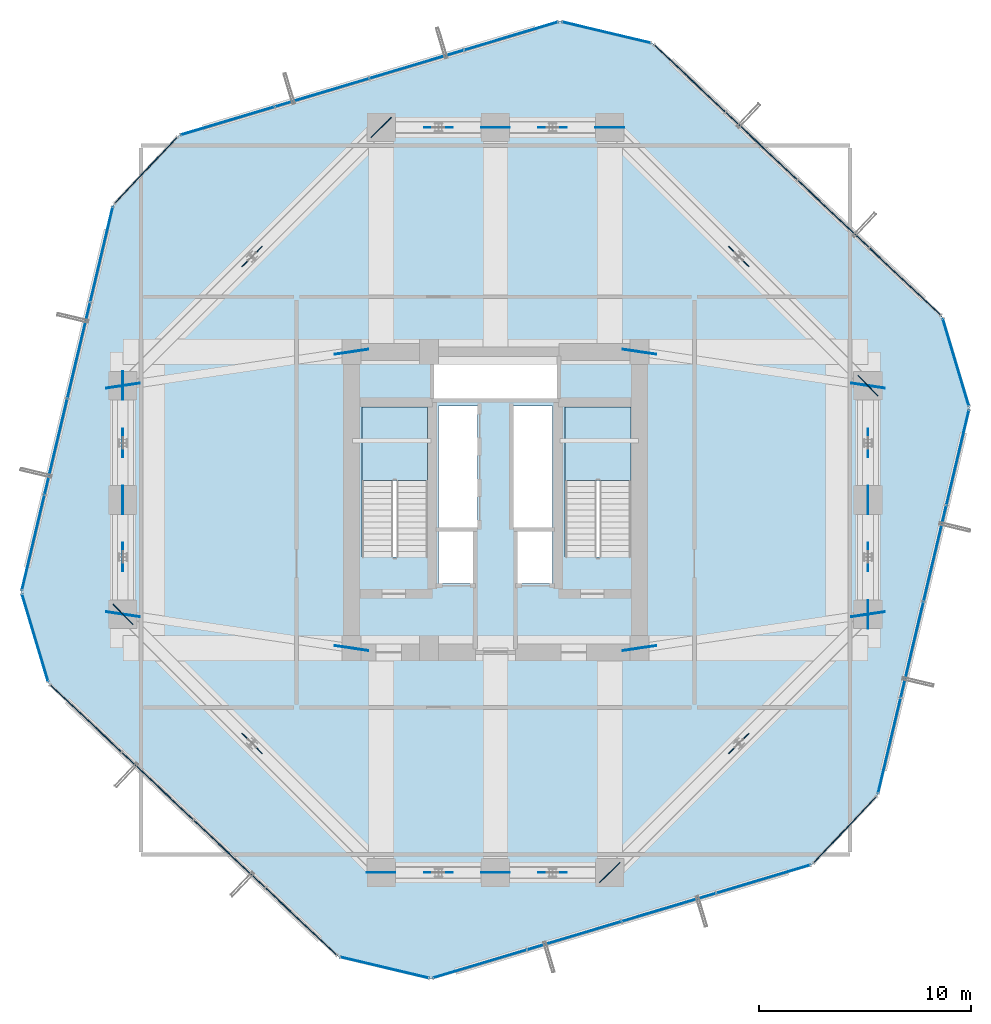
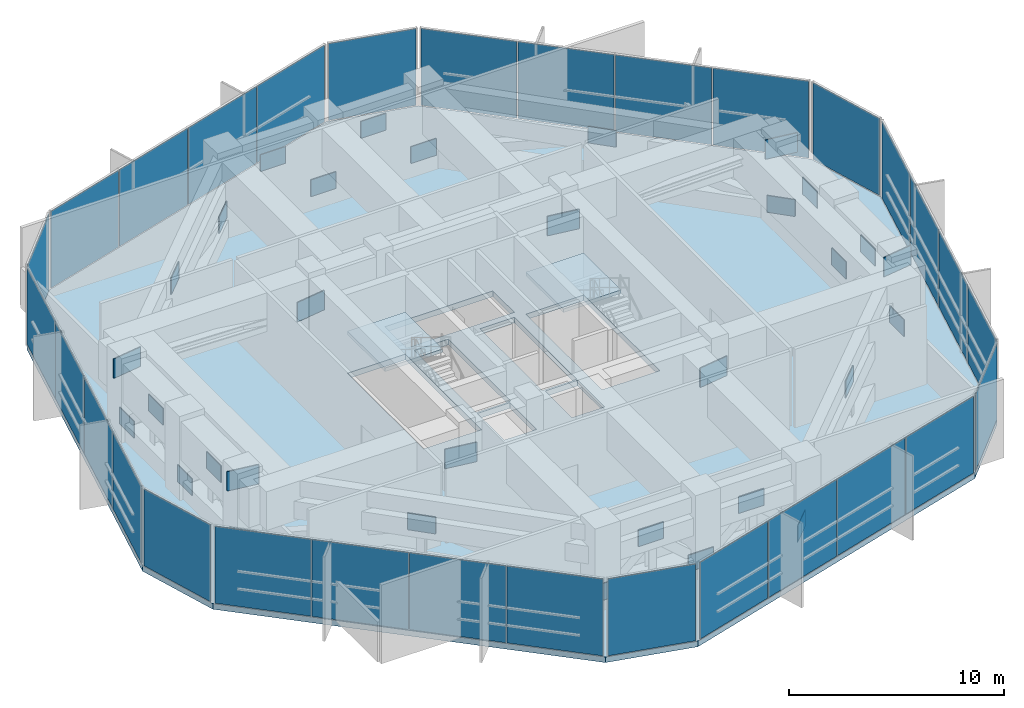
# One storey, part 34 of 41: 62 plates, 3 slabs, 14 elements without a shape of their own.
"""IFC4 building model written with IfcOpenShell, lengths in metres."""

from ifc_helpers import new_model, si_unit, direction, frame, origin, origin_2d, place, context, subcontext, project, spatial, polyline, rectangle, outline, extrude, source, transform, mapped, material, layer, layer_set, type_object, element, aggregate, save


model = new_model("IFC4")

# Units and contexts
model_context = context("Model", 3, precision=1e-05, world=origin(), true_north=direction((0.0, 1.0)))
body_context = subcontext(model_context, "Body", "Model", "MODEL_VIEW")
ifc_project = project(units=[si_unit("LENGTHUNIT", "METRE"), si_unit("AREAUNIT", "SQUARE_METRE"), si_unit("VOLUMEUNIT", "CUBIC_METRE"), si_unit("PLANEANGLEUNIT", "RADIAN"), si_unit("MASSUNIT", "GRAM", prefix="KILO")], contexts=[model_context])

# Site, building, storey
site_placement = place(None, origin())
site = spatial("IfcSite", under=ifc_project, at=site_placement, CompositionType="ELEMENT")
building_placement = place(site_placement, origin())
building = spatial("IfcBuilding", under=site, at=building_placement, Name="Veraguas Prism Commons", CompositionType="ELEMENT")
storey_placement = place(building_placement, frame((0.0, 0.0, 80.35009765625)))
storey = spatial("IfcBuildingStorey", under=building, at=storey_placement, Name="L22", CompositionType="ELEMENT", Elevation=80.35009765625)

# Slab
ifc_material_1 = material(Name="Concrete C45/55", Category="concrete")
ifc_layer_1 = layer(ifc_material_1, 0.320068359375, Name="Plant Refuge and Sky Lobby Slab RC 320", Category="concrete")
ifc_layer_set_1 = layer_set([ifc_layer_1], Name="Concrete C45/55")
slab_type_1 = type_object("IfcSlabType", Name="Plant Refuge and Sky Lobby Slab RC 320", PredefinedType="FLOOR", material=ifc_layer_set_1)
slab_1_placement = place(storey_placement, frame((0.0, 0.0, -0.320068359375)))
element("IfcSlab", 1, at=slab_1_placement, inside=storey, type_object=slab_type_1, Name="Tower Floor Slab L22", PredefinedType="FLOOR", context=body_context, shape_type="SweptSolid", body=[
    extrude(outline(polyline([(46.39306640625, 28.3525390625), (45.10302734375, 32.663818359375), (31.427001953125, 45.5693359375), (27.048583984375, 46.607666015625), (9.033935546875, 41.216796875), (5.945556640625, 37.94384765625), (1.60693359375, 19.6474609375), (2.89697265625, 15.336181640625), (16.572998046875, 2.4306640625), (20.951416015625, 1.392333984375), (38.966064453125, 6.783203125), (42.054443359375, 10.05615234375), (46.39306640625, 28.3525390625)]), holes=[polyline([(20.800048828125, 21.31005859375), (20.800048828125, 28.39990234375), (17.68994140625, 28.39990234375), (17.68994140625, 21.31005859375), (20.800048828125, 21.31005859375)]), polyline([(30.39990234375, 21.31005859375), (30.39990234375, 28.39990234375), (27.2900390625, 28.39990234375), (27.2900390625, 21.31005859375), (30.39990234375, 21.31005859375)]), polyline([(21.300048828125, 22.64990234375), (23.14990234375, 22.64990234375), (23.14990234375, 28.449951171875), (21.300048828125, 28.449951171875), (21.300048828125, 22.64990234375)]), polyline([(24.85009765625, 22.64990234375), (26.699951171875, 22.64990234375), (26.699951171875, 28.449951171875), (24.85009765625, 28.449951171875), (24.85009765625, 22.64990234375)]), polyline([(21.10009765625, 28.800048828125), (26.89990234375, 28.800048828125), (26.89990234375, 30.800048828125), (21.10009765625, 30.800048828125), (21.10009765625, 28.800048828125)]), polyline([(21.300048828125, 20.050048828125), (23.050048828125, 20.050048828125), (23.050048828125, 22.550048828125), (21.300048828125, 22.550048828125), (21.300048828125, 20.050048828125)]), polyline([(24.949951171875, 20.050048828125), (26.699951171875, 20.050048828125), (26.699951171875, 22.550048828125), (24.949951171875, 22.550048828125), (24.949951171875, 20.050048828125)])]), origin(), (0.0, 0.0, 1.0), 0.320068359375),
])

# Stair, slab
ifc_material_2 = material(Name="Precast concrete C45/55", Category="concrete")
stair_type = type_object("IfcStairType", Name="Dogleg Core Stair 1480W 28R 01", PredefinedType="HALF_TURN_STAIR", material=ifc_material_2)
stair_1_placement = place(storey_placement, origin())
stair_1 = element("IfcStair", 2, at=stair_1_placement, inside=storey, type_object=stair_type, Name="Protected Exit Stair ST-01 L22", PredefinedType="HALF_TURN_STAIR")
ifc_layer_2 = layer(ifc_material_2, 0.199951171875, Name="Precast Stair and Ramp Landing Slab 200", Category="concrete")
ifc_layer_set_2 = layer_set([ifc_layer_2], Name="Precast concrete C45/55")
slab_type_2 = type_object("IfcSlabType", Name="Precast Stair and Ramp Landing Slab 200", PredefinedType="LANDING", material=ifc_layer_set_2)
slab_2_placement = place(storey_placement, frame((0.0, 0.0, 2.199951171875)))
slab_2 = element("IfcSlab", 3, at=slab_2_placement, type_object=slab_type_2, Name="ST-01 Landing 1", PredefinedType="LANDING", context=body_context, shape_type="SweptSolid", body=[
    extrude(outline(polyline([(20.800048828125, 24.919921875), (20.800048828125, 28.39990234375), (17.68994140625, 28.39990234375), (17.68994140625, 24.919921875), (20.800048828125, 24.919921875)])), origin(), (0.0, 0.0, 1.0), 0.199951171875),
])
aggregate(stair_1, [slab_2])

stair_2_placement = place(storey_placement, origin())
stair_2 = element("IfcStair", 4, at=stair_2_placement, inside=storey, type_object=stair_type, Name="Protected Exit Stair ST-02 L22", PredefinedType="HALF_TURN_STAIR")
slab_3_placement = place(storey_placement, frame((0.0, 0.0, 2.199951171875)))
slab_3 = element("IfcSlab", 5, at=slab_3_placement, type_object=slab_type_2, Name="ST-01 Landing 1", PredefinedType="LANDING", context=body_context, shape_type="SweptSolid", body=[
    extrude(outline(polyline([(30.39990234375, 24.919921875), (30.39990234375, 28.39990234375), (27.2900390625, 28.39990234375), (27.2900390625, 24.919921875), (30.39990234375, 24.919921875)])), origin(), (0.0, 0.0, 1.0), 0.199951171875),
])
aggregate(stair_2, [slab_3])

# Plates
ifc_material_3 = material(Name="Steel ASTM A572 Grade 50", Category="steel")
ifc_layer_3 = layer(ifc_material_3, 0.0400390625, Name="Belt Truss Node Gusset Plate 1350x950x40", Category="steel")
ifc_layer_set_3 = layer_set([ifc_layer_3], Name="Steel ASTM A572 Grade 50")
plate_type_1 = type_object("IfcPlateType", Name="Belt Truss Node Gusset Plate 1350x950x40", PredefinedType="USERDEFINED", material=ifc_layer_set_3)
shared_shape_1 = source(origin(), body_context, "Body", "SweptSolid", [
    extrude(rectangle(XDim=1.35009765625, YDim=0.0400390625, at=origin_2d()), origin(), (0.0, 0.0, 1.0), 0.949951171875),
])
for number, where, z_axis, x_axis, name in (
    (6, (41.60009765625, 21.300048828125, 2.455078125), (0.0, 0.0, 1.0), (0.0, 1.0, 0.0), "Belt Truss Node Gusset KN2-L22-01"),
    (7, (41.60009765625, 18.60009765625, 0.07470703125), (0.0, 0.0, 1.0), (0.0, 1.0, 0.0), "Belt Truss Column Foot Gusset L22-01"),
    (8, (41.60009765625, 26.699951171875, 2.455078125), (0.0, 0.0, 1.0), (0.0, 1.0, 0.0), "Belt Truss Node Gusset KN2-L22-02"),
    (9, (41.60009765625, 24.0, 0.07470703125), (0.0, 0.0, 1.0), (0.0, 1.0, 0.0), "Belt Truss Column Foot Gusset L22-02"),
    (10, (35.5, 35.5, 2.455078125), (0.0, 0.0, 1.0), (-0.707106781187, 0.707106781187, 0.0), "Belt Truss Node Gusset KN2-L22-03"),
    (11, (41.60009765625, 29.39990234375, 0.07470703125), (0.0, 0.0, 1.0), (-0.707106781187, 0.707106781187, 0.0), "Belt Truss Column Foot Gusset L22-03"),
    (12, (26.699951171875, 41.60009765625, 2.455078125), (0.0, 0.0, 1.0), (-1.0, 0.0, 0.0), "Belt Truss Node Gusset KN2-L22-04"),
    (13, (29.39990234375, 41.60009765625, 0.07470703125), (0.0, 0.0, 1.0), (-1.0, 0.0, 0.0), "Belt Truss Column Foot Gusset L22-04"),
    (14, (21.300048828125, 41.60009765625, 2.455078125), (0.0, 0.0, 1.0), (-1.0, 0.0, 0.0), "Belt Truss Node Gusset KN2-L22-05"),
    (15, (24.0, 41.60009765625, 0.07470703125), (0.0, 0.0, 1.0), (-1.0, 0.0, 0.0), "Belt Truss Column Foot Gusset L22-05"),
    (16, (12.5, 35.5, 2.455078125), (0.0, 0.0, 1.0), (-0.707106781187, -0.707106781187, 0.0), "Belt Truss Node Gusset KN2-L22-06"),
    (17, (18.60009765625, 41.60009765625, 0.07470703125), (0.0, 0.0, 1.0), (-0.707106781187, -0.707106781187, 0.0), "Belt Truss Column Foot Gusset L22-06"),
    (18, (6.39990234375, 26.699951171875, 2.455078125), (0.0, 0.0, 1.0), (0.0, -1.0, 0.0), "Belt Truss Node Gusset KN2-L22-07"),
    (19, (6.39990234375, 29.39990234375, 0.07470703125), (0.0, 0.0, 1.0), (0.0, -1.0, 0.0), "Belt Truss Column Foot Gusset L22-07"),
    (20, (6.39990234375, 21.300048828125, 2.455078125), (0.0, 0.0, 1.0), (0.0, -1.0, 0.0), "Belt Truss Node Gusset KN2-L22-08"),
    (21, (6.39990234375, 24.0, 0.07470703125), (0.0, 0.0, 1.0), (0.0, -1.0, 0.0), "Belt Truss Column Foot Gusset L22-08"),
    (22, (12.5, 12.5, 2.455078125), (0.0, 0.0, 1.0), (0.707106781187, -0.707106781187, 0.0), "Belt Truss Node Gusset KN2-L22-09"),
    (23, (6.39990234375, 18.60009765625, 0.07470703125), (0.0, 0.0, 1.0), (0.707106781187, -0.707106781187, 0.0), "Belt Truss Column Foot Gusset L22-09"),
    (24, (21.300048828125, 6.39990234375, 2.455078125), (0.0, 0.0, 1.0), (1.0, 0.0, 0.0), "Belt Truss Node Gusset KN2-L22-10"),
    (25, (18.60009765625, 6.39990234375, 0.07470703125), (0.0, 0.0, 1.0), (1.0, 0.0, 0.0), "Belt Truss Column Foot Gusset L22-10"),
    (26, (26.699951171875, 6.39990234375, 2.455078125), (0.0, 0.0, 1.0), (1.0, 0.0, 0.0), "Belt Truss Node Gusset KN2-L22-11"),
    (27, (24.0, 6.39990234375, 0.07470703125), (0.0, 0.0, 1.0), (1.0, 0.0, 0.0), "Belt Truss Column Foot Gusset L22-11"),
    (28, (35.5, 12.5, 2.455078125), (0.0, 0.0, 1.0), (0.707106781187, 0.707106781187, 0.0), "Belt Truss Node Gusset KN2-L22-12"),
    (29, (29.39990234375, 6.39990234375, 0.07470703125), (0.0, 0.0, 1.0), (0.707106781187, 0.707106781187, 0.0), "Belt Truss Column Foot Gusset L22-12"),
):
    element("IfcPlate", number, at=place(storey_placement, frame(where, z_axis=z_axis, x_axis=x_axis)), inside=storey, type_object=plate_type_1, Name=name, ObjectType="GUSSET PLATE", PredefinedType="USERDEFINED", context=body_context, shape_type="MappedRepresentation", body=[
        mapped(shared_shape_1, transform((0.0, 0.0, 0.0), scale=1.0)),
    ])
ifc_layer_4 = layer(ifc_material_3, 0.044921875, Name="Outrigger Truss Gusset Plate 1600x1100x45", Category="steel")
ifc_layer_set_4 = layer_set([ifc_layer_4], Name="Steel ASTM A572 Grade 50")
plate_type_2 = type_object("IfcPlateType", Name="Outrigger Truss Gusset Plate 1600x1100x45", PredefinedType="USERDEFINED", material=ifc_layer_set_4)
shared_shape_2 = source(origin(), body_context, "Body", "SweptSolid", [
    extrude(rectangle(XDim=1.60009765625, YDim=0.044921875, at=origin_2d()), origin(), (0.0, 0.0, 1.0), 1.10009765625),
])
for number, where, z_axis, x_axis, name in (
    (30, (30.800048828125, 17.0, 1.869873046875), (0.0, 0.0, 1.0), (0.989203383118, 0.146549195929, 0.0), "Outrigger Core Node Gusset KN1-L22-01"),
    (31, (41.60009765625, 18.60009765625, 3.409912109375), (0.0, 0.0, 1.0), (0.989203383118, 0.146549195929, 0.0), "Outrigger Perimeter Node Gusset L22-01"),
    (32, (30.800048828125, 31.0, 1.869873046875), (0.0, 0.0, 1.0), (0.989203383118, -0.146549195929, 0.0), "Outrigger Core Node Gusset KN1-L22-02"),
    (33, (41.60009765625, 29.39990234375, 3.409912109375), (0.0, 0.0, 1.0), (0.989203383118, -0.146549195929, 0.0), "Outrigger Perimeter Node Gusset L22-02"),
    (34, (17.199951171875, 31.0, 1.869873046875), (0.0, 0.0, 1.0), (-0.989203383118, -0.146549195929, 0.0), "Outrigger Core Node Gusset KN1-L22-03"),
    (35, (6.39990234375, 29.39990234375, 3.409912109375), (0.0, 0.0, 1.0), (-0.989203383118, -0.146549195929, 0.0), "Outrigger Perimeter Node Gusset L22-03"),
    (36, (17.199951171875, 17.0, 1.869873046875), (0.0, 0.0, 1.0), (-0.989203383118, 0.146549195929, 0.0), "Outrigger Core Node Gusset KN1-L22-04"),
    (37, (6.39990234375, 18.60009765625, 3.409912109375), (0.0, 0.0, 1.0), (-0.989203383118, 0.146549195929, 0.0), "Outrigger Perimeter Node Gusset L22-04"),
):
    element("IfcPlate", number, at=place(storey_placement, frame(where, z_axis=z_axis, x_axis=x_axis)), inside=storey, type_object=plate_type_2, Name=name, ObjectType="GUSSET PLATE", PredefinedType="USERDEFINED", context=body_context, shape_type="MappedRepresentation", body=[
        mapped(shared_shape_2, transform((0.0, 0.0, 0.0), scale=1.0)),
    ])

# Curtain wall, plates
ifc_material_4 = material(Name="Anodised aluminium EN AW-6063 T6", Category="aluminium")
ifc_layer_5 = layer(ifc_material_4, 0.169921875, Name="Unitised Flush Curtain Wall Zone 1", Category="aluminium")
ifc_layer_set_5 = layer_set([ifc_layer_5], Name="Anodised aluminium EN AW-6063 T6")
curtain_wall_type = type_object("IfcCurtainWallType", Name="Unitised Flush Curtain Wall Zone 1", PredefinedType="NOTDEFINED", material=ifc_layer_set_5)
curtain_wall_1_placement = place(storey_placement, origin())
curtain_wall_1 = element("IfcCurtainWall", 38, at=curtain_wall_1_placement, inside=storey, type_object=curtain_wall_type, Name="Tower Facade Curtain Wall L22-F1", PredefinedType="NOTDEFINED")
ifc_material_5 = material(Name="Spandrel frit insulated glass", Category="glass")
ifc_layer_6 = layer(ifc_material_5, 0.0400390625, Name="Insulated Pale-Metal Spandrel Panel 40", Category="glass")
ifc_layer_set_6 = layer_set([ifc_layer_6], Name="Spandrel frit insulated glass")
plate_type_3 = type_object("IfcPlateType", Name="Insulated Pale-Metal Spandrel Panel 40", PredefinedType="SHEET", material=ifc_layer_set_6)
shared_shape_3 = source(origin(), body_context, "Body", "SweptSolid", [
    extrude(rectangle(XDim=4.5810546875, YDim=0.0400390625, at=origin_2d()), origin(), (0.0, 0.0, 1.0), 4.3701171875),
])
plate_1_placement = place(storey_placement, frame((43.349853515625, 34.318115234375, 0.054931640625), z_axis=(0.0, 0.0, 1.0), x_axis=(-0.727294986673, 0.686324997621, 0.0)))
plate_1 = element("IfcPlate", 39, at=plate_1_placement, type_object=plate_type_3, Name="CW-Z1 Panel 1.1", PredefinedType="SHEET", context=body_context, shape_type="MappedRepresentation", body=[
    mapped(shared_shape_3, transform((0.0, 0.0, 0.0), scale=1.0)),
])
plate_2_placement = place(storey_placement, frame((33.18017578125, 43.914794921875, 0.054931640625), z_axis=(0.0, 0.0, 1.0), x_axis=(-0.727294986673, 0.686324997621, 0.0)))
plate_2 = element("IfcPlate", 40, at=plate_2_placement, type_object=plate_type_3, Name="CW-Z1 Panel 4.1", PredefinedType="SHEET", context=body_context, shape_type="MappedRepresentation", body=[
    mapped(shared_shape_3, transform((0.0, 0.0, 0.0), scale=1.0)),
])

curtain_wall_2_placement = place(storey_placement, origin())
curtain_wall_2 = element("IfcCurtainWall", 41, at=curtain_wall_2_placement, inside=storey, type_object=curtain_wall_type, Name="Tower Facade Curtain Wall L22-F2", PredefinedType="NOTDEFINED")
plate_3_placement = place(storey_placement, frame((24.7392578125, 45.91650390625, 0.054931640625), z_axis=(0.0, 0.0, 1.0), x_axis=(-0.958022876902, -0.286691763629, 0.0)))
plate_3 = element("IfcPlate", 42, at=plate_3_placement, type_object=plate_type_3, Name="CW-Z1 Panel 1.1", PredefinedType="SHEET", context=body_context, shape_type="MappedRepresentation", body=[
    mapped(shared_shape_3, transform((0.0, 0.0, 0.0), scale=1.0)),
])
plate_4_placement = place(storey_placement, frame((11.34326171875, 41.90771484375, 0.054931640625), z_axis=(0.0, 0.0, 1.0), x_axis=(-0.958022876902, -0.286691763629, 0.0)))
plate_4 = element("IfcPlate", 43, at=plate_4_placement, type_object=plate_type_3, Name="CW-Z1 Panel 4.1", PredefinedType="SHEET", context=body_context, shape_type="MappedRepresentation", body=[
    mapped(shared_shape_3, transform((0.0, 0.0, 0.0), scale=1.0)),
])

curtain_wall_3_placement = place(storey_placement, origin())
curtain_wall_3 = element("IfcCurtainWall", 44, at=curtain_wall_3_placement, inside=storey, type_object=curtain_wall_type, Name="Tower Facade Curtain Wall L22-F3", PredefinedType="NOTDEFINED")
plate_5_placement = place(storey_placement, frame((5.389404296875, 35.598388671875, 0.054931640625), z_axis=(0.0, 0.0, 1.0), x_axis=(-0.2307341828, -0.97301682251, 0.0)))
plate_5 = element("IfcPlate", 45, at=plate_5_placement, type_object=plate_type_3, Name="CW-Z1 Panel 1.1", PredefinedType="SHEET", context=body_context, shape_type="MappedRepresentation", body=[
    mapped(shared_shape_3, transform((0.0, 0.0, 0.0), scale=1.0)),
])
plate_6_placement = place(storey_placement, frame((2.1630859375, 21.992919921875, 0.054931640625), z_axis=(0.0, 0.0, 1.0), x_axis=(-0.2307341828, -0.97301682251, 0.0)))
plate_6 = element("IfcPlate", 46, at=plate_6_placement, type_object=plate_type_3, Name="CW-Z1 Panel 4.1", PredefinedType="SHEET", context=body_context, shape_type="MappedRepresentation", body=[
    mapped(shared_shape_3, transform((0.0, 0.0, 0.0), scale=1.0)),
])

curtain_wall_4_placement = place(storey_placement, origin())
curtain_wall_4 = element("IfcCurtainWall", 47, at=curtain_wall_4_placement, inside=storey, type_object=curtain_wall_type, Name="Tower Facade Curtain Wall L22-F4", PredefinedType="NOTDEFINED")
plate_7_placement = place(storey_placement, frame((4.650146484375, 13.681884765625, 0.054931640625), z_axis=(0.0, 0.0, 1.0), x_axis=(0.727294986673, -0.686324997621, 0.0)))
plate_7 = element("IfcPlate", 48, at=plate_7_placement, type_object=plate_type_3, Name="CW-Z1 Panel 1.1", PredefinedType="SHEET", context=body_context, shape_type="MappedRepresentation", body=[
    mapped(shared_shape_3, transform((0.0, 0.0, 0.0), scale=1.0)),
])
plate_8_placement = place(storey_placement, frame((14.81982421875, 4.085205078125, 0.054931640625), z_axis=(0.0, 0.0, 1.0), x_axis=(0.727294986673, -0.686324997621, 0.0)))
plate_8 = element("IfcPlate", 49, at=plate_8_placement, type_object=plate_type_3, Name="CW-Z1 Panel 4.1", PredefinedType="SHEET", context=body_context, shape_type="MappedRepresentation", body=[
    mapped(shared_shape_3, transform((0.0, 0.0, 0.0), scale=1.0)),
])

curtain_wall_5_placement = place(storey_placement, origin())
curtain_wall_5 = element("IfcCurtainWall", 50, at=curtain_wall_5_placement, inside=storey, type_object=curtain_wall_type, Name="Tower Facade Curtain Wall L22-F5", PredefinedType="NOTDEFINED")
plate_9_placement = place(storey_placement, frame((23.2607421875, 2.08349609375, 0.054931640625), z_axis=(0.0, 0.0, 1.0), x_axis=(0.958022876902, 0.286691763629, 0.0)))
plate_9 = element("IfcPlate", 51, at=plate_9_placement, type_object=plate_type_3, Name="CW-Z1 Panel 1.1", PredefinedType="SHEET", context=body_context, shape_type="MappedRepresentation", body=[
    mapped(shared_shape_3, transform((0.0, 0.0, 0.0), scale=1.0)),
])
plate_10_placement = place(storey_placement, frame((36.65673828125, 6.09228515625, 0.054931640625), z_axis=(0.0, 0.0, 1.0), x_axis=(0.958022876902, 0.286691763629, 0.0)))
plate_10 = element("IfcPlate", 52, at=plate_10_placement, type_object=plate_type_3, Name="CW-Z1 Panel 4.1", PredefinedType="SHEET", context=body_context, shape_type="MappedRepresentation", body=[
    mapped(shared_shape_3, transform((0.0, 0.0, 0.0), scale=1.0)),
])

curtain_wall_6_placement = place(storey_placement, origin())
curtain_wall_6 = element("IfcCurtainWall", 53, at=curtain_wall_6_placement, inside=storey, type_object=curtain_wall_type, Name="Tower Facade Curtain Wall L22-F6", PredefinedType="NOTDEFINED")
plate_11_placement = place(storey_placement, frame((42.610595703125, 12.401611328125, 0.054931640625), z_axis=(0.0, 0.0, 1.0), x_axis=(0.2307341828, 0.97301682251, 0.0)))
plate_11 = element("IfcPlate", 54, at=plate_11_placement, type_object=plate_type_3, Name="CW-Z1 Panel 1.1", PredefinedType="SHEET", context=body_context, shape_type="MappedRepresentation", body=[
    mapped(shared_shape_3, transform((0.0, 0.0, 0.0), scale=1.0)),
])
plate_12_placement = place(storey_placement, frame((45.8369140625, 26.007080078125, 0.054931640625), z_axis=(0.0, 0.0, 1.0), x_axis=(0.2307341828, 0.97301682251, 0.0)))
plate_12 = element("IfcPlate", 55, at=plate_12_placement, type_object=plate_type_3, Name="CW-Z1 Panel 4.1", PredefinedType="SHEET", context=body_context, shape_type="MappedRepresentation", body=[
    mapped(shared_shape_3, transform((0.0, 0.0, 0.0), scale=1.0)),
])

# Plate
shared_shape_4 = source(origin(), body_context, "Body", "SweptSolid", [
    extrude(rectangle(XDim=4.611083984375, YDim=0.0400390625, at=origin_2d()), origin(), (0.0, 0.0, 1.0), 4.3701171875),
])
plate_13_placement = place(storey_placement, frame((39.963623046875, 37.513671875, 0.054931640625), z_axis=(0.0, 0.0, 1.0), x_axis=(-0.727294986673, 0.686324997621, 0.0)))
plate_13 = element("IfcPlate", 56, at=plate_13_placement, type_object=plate_type_3, Name="CW-Z1 Panel 2.1", PredefinedType="SHEET", context=body_context, shape_type="MappedRepresentation", body=[
    mapped(shared_shape_4, transform((0.0, 0.0, 0.0), scale=1.0)),
])

plate_14_placement = place(storey_placement, frame((36.56640625, 40.719482421875, 0.054931640625), z_axis=(0.0, 0.0, 1.0), x_axis=(-0.727294986673, 0.686324997621, 0.0)))
plate_14 = element("IfcPlate", 57, at=plate_14_placement, type_object=plate_type_3, Name="CW-Z1 Panel 3.1", PredefinedType="SHEET", context=body_context, shape_type="MappedRepresentation", body=[
    mapped(shared_shape_4, transform((0.0, 0.0, 0.0), scale=1.0)),
])

aggregate(curtain_wall_1, [plate_1, plate_13, plate_14, plate_2])

plate_15_placement = place(storey_placement, frame((4.315185546875, 31.068115234375, 0.054931640625), z_axis=(0.0, 0.0, 1.0), x_axis=(-0.2307341828, -0.97301682251, 0.0)))
plate_15 = element("IfcPlate", 58, at=plate_15_placement, type_object=plate_type_3, Name="CW-Z1 Panel 2.1", PredefinedType="SHEET", context=body_context, shape_type="MappedRepresentation", body=[
    mapped(shared_shape_4, transform((0.0, 0.0, 0.0), scale=1.0)),
])

plate_16_placement = place(storey_placement, frame((3.2373046875, 26.523193359375, 0.054931640625), z_axis=(0.0, 0.0, 1.0), x_axis=(-0.2307341828, -0.97301682251, 0.0)))
plate_16 = element("IfcPlate", 59, at=plate_16_placement, type_object=plate_type_3, Name="CW-Z1 Panel 3.1", PredefinedType="SHEET", context=body_context, shape_type="MappedRepresentation", body=[
    mapped(shared_shape_4, transform((0.0, 0.0, 0.0), scale=1.0)),
])

aggregate(curtain_wall_3, [plate_5, plate_15, plate_16, plate_6])

plate_17_placement = place(storey_placement, frame((8.036376953125, 10.486328125, 0.054931640625), z_axis=(0.0, 0.0, 1.0), x_axis=(0.727294986673, -0.686324997621, 0.0)))
plate_17 = element("IfcPlate", 60, at=plate_17_placement, type_object=plate_type_3, Name="CW-Z1 Panel 2.1", PredefinedType="SHEET", context=body_context, shape_type="MappedRepresentation", body=[
    mapped(shared_shape_4, transform((0.0, 0.0, 0.0), scale=1.0)),
])

plate_18_placement = place(storey_placement, frame((11.43359375, 7.280517578125, 0.054931640625), z_axis=(0.0, 0.0, 1.0), x_axis=(0.727294986673, -0.686324997621, 0.0)))
plate_18 = element("IfcPlate", 61, at=plate_18_placement, type_object=plate_type_3, Name="CW-Z1 Panel 3.1", PredefinedType="SHEET", context=body_context, shape_type="MappedRepresentation", body=[
    mapped(shared_shape_4, transform((0.0, 0.0, 0.0), scale=1.0)),
])

aggregate(curtain_wall_4, [plate_7, plate_17, plate_18, plate_8])

plate_19_placement = place(storey_placement, frame((43.684814453125, 16.931884765625, 0.054931640625), z_axis=(0.0, 0.0, 1.0), x_axis=(0.2307341828, 0.97301682251, 0.0)))
plate_19 = element("IfcPlate", 62, at=plate_19_placement, type_object=plate_type_3, Name="CW-Z1 Panel 2.1", PredefinedType="SHEET", context=body_context, shape_type="MappedRepresentation", body=[
    mapped(shared_shape_4, transform((0.0, 0.0, 0.0), scale=1.0)),
])

plate_20_placement = place(storey_placement, frame((44.7626953125, 21.476806640625, 0.054931640625), z_axis=(0.0, 0.0, 1.0), x_axis=(0.2307341828, 0.97301682251, 0.0)))
plate_20 = element("IfcPlate", 63, at=plate_20_placement, type_object=plate_type_3, Name="CW-Z1 Panel 3.1", PredefinedType="SHEET", context=body_context, shape_type="MappedRepresentation", body=[
    mapped(shared_shape_4, transform((0.0, 0.0, 0.0), scale=1.0)),
])

aggregate(curtain_wall_6, [plate_11, plate_19, plate_20, plate_12])

shared_shape_5 = source(origin(), body_context, "Body", "SweptSolid", [
    extrude(rectangle(XDim=4.61083984375, YDim=0.0400390625, at=origin_2d()), origin(), (0.0, 0.0, 1.0), 4.3701171875),
])
plate_21_placement = place(storey_placement, frame((20.27880859375, 44.581787109375, 0.054931640625), z_axis=(0.0, 0.0, 1.0), x_axis=(-0.958022876902, -0.286691763629, 0.0)))
plate_21 = element("IfcPlate", 64, at=plate_21_placement, type_object=plate_type_3, Name="CW-Z1 Panel 2.1", PredefinedType="SHEET", context=body_context, shape_type="MappedRepresentation", body=[
    mapped(shared_shape_5, transform((0.0, 0.0, 0.0), scale=1.0)),
])

plate_22_placement = place(storey_placement, frame((15.8037109375, 43.24267578125, 0.054931640625), z_axis=(0.0, 0.0, 1.0), x_axis=(-0.958022876902, -0.286691763629, 0.0)))
plate_22 = element("IfcPlate", 65, at=plate_22_placement, type_object=plate_type_3, Name="CW-Z1 Panel 3.1", PredefinedType="SHEET", context=body_context, shape_type="MappedRepresentation", body=[
    mapped(shared_shape_5, transform((0.0, 0.0, 0.0), scale=1.0)),
])

aggregate(curtain_wall_2, [plate_3, plate_21, plate_22, plate_4])

plate_23_placement = place(storey_placement, frame((27.72119140625, 3.418212890625, 0.054931640625), z_axis=(0.0, 0.0, 1.0), x_axis=(0.958022876902, 0.286691763629, 0.0)))
plate_23 = element("IfcPlate", 66, at=plate_23_placement, type_object=plate_type_3, Name="CW-Z1 Panel 2.1", PredefinedType="SHEET", context=body_context, shape_type="MappedRepresentation", body=[
    mapped(shared_shape_5, transform((0.0, 0.0, 0.0), scale=1.0)),
])

plate_24_placement = place(storey_placement, frame((32.1962890625, 4.75732421875, 0.054931640625), z_axis=(0.0, 0.0, 1.0), x_axis=(0.958022876902, 0.286691763629, 0.0)))
plate_24 = element("IfcPlate", 67, at=plate_24_placement, type_object=plate_type_3, Name="CW-Z1 Panel 3.1", PredefinedType="SHEET", context=body_context, shape_type="MappedRepresentation", body=[
    mapped(shared_shape_5, transform((0.0, 0.0, 0.0), scale=1.0)),
])

aggregate(curtain_wall_5, [plate_9, plate_23, plate_24, plate_10])

# Curtain wall, plate
curtain_wall_7_placement = place(storey_placement, origin())
curtain_wall_7 = element("IfcCurtainWall", 68, at=curtain_wall_7_placement, inside=storey, type_object=curtain_wall_type, Name="Chamfer Curtain Wall L22-C1", PredefinedType="NOTDEFINED")
shared_shape_6 = source(origin(), body_context, "Body", "SweptSolid", [
    extrude(rectangle(XDim=4.260009765625, YDim=0.0400390625, at=origin_2d()), origin(), (0.0, 0.0, 1.0), 4.3701171875),
])
plate_25_placement = place(storey_placement, frame((45.748046875, 30.508056640625, 0.054931640625), z_axis=(0.0, 0.0, 1.0), x_axis=(-0.286691763629, 0.958022876902, 0.0)))
plate_25 = element("IfcPlate", 69, at=plate_25_placement, type_object=plate_type_3, Name="CW-Z1 Panel 1.1", PredefinedType="SHEET", context=body_context, shape_type="MappedRepresentation", body=[
    mapped(shared_shape_6, transform((0.0, 0.0, 0.0), scale=1.0)),
])
aggregate(curtain_wall_7, [plate_25])

curtain_wall_8_placement = place(storey_placement, origin())
curtain_wall_8 = element("IfcCurtainWall", 70, at=curtain_wall_8_placement, inside=storey, type_object=curtain_wall_type, Name="Chamfer Curtain Wall L22-C2", PredefinedType="NOTDEFINED")
plate_26_placement = place(storey_placement, frame((29.23779296875, 46.08837890625, 0.054931640625), z_axis=(0.0, 0.0, 1.0), x_axis=(-0.973012392552, 0.23075286334, 0.0)))
plate_26 = element("IfcPlate", 71, at=plate_26_placement, type_object=plate_type_3, Name="CW-Z1 Panel 1.1", PredefinedType="SHEET", context=body_context, shape_type="MappedRepresentation", body=[
    mapped(shared_shape_6, transform((0.0, 0.0, 0.0), scale=1.0)),
])
aggregate(curtain_wall_8, [plate_26])

curtain_wall_9_placement = place(storey_placement, origin())
curtain_wall_9 = element("IfcCurtainWall", 72, at=curtain_wall_9_placement, inside=storey, type_object=curtain_wall_type, Name="Chamfer Curtain Wall L22-C3", PredefinedType="NOTDEFINED")
plate_27_placement = place(storey_placement, frame((7.48974609375, 39.580322265625, 0.054931640625), z_axis=(0.0, 0.0, 1.0), x_axis=(-0.686318650749, -0.727300975961, 0.0)))
plate_27 = element("IfcPlate", 73, at=plate_27_placement, type_object=plate_type_3, Name="CW-Z1 Panel 1.1", PredefinedType="SHEET", context=body_context, shape_type="MappedRepresentation", body=[
    mapped(shared_shape_6, transform((0.0, 0.0, 0.0), scale=1.0)),
])
aggregate(curtain_wall_9, [plate_27])

curtain_wall_10_placement = place(storey_placement, origin())
curtain_wall_10 = element("IfcCurtainWall", 74, at=curtain_wall_10_placement, inside=storey, type_object=curtain_wall_type, Name="Chamfer Curtain Wall L22-C4", PredefinedType="NOTDEFINED")
plate_28_placement = place(storey_placement, frame((2.251953125, 17.491943359375, 0.054931640625), z_axis=(0.0, 0.0, 1.0), x_axis=(0.286691763629, -0.958022876902, 0.0)))
plate_28 = element("IfcPlate", 75, at=plate_28_placement, type_object=plate_type_3, Name="CW-Z1 Panel 1.1", PredefinedType="SHEET", context=body_context, shape_type="MappedRepresentation", body=[
    mapped(shared_shape_6, transform((0.0, 0.0, 0.0), scale=1.0)),
])
aggregate(curtain_wall_10, [plate_28])

curtain_wall_11_placement = place(storey_placement, origin())
curtain_wall_11 = element("IfcCurtainWall", 76, at=curtain_wall_11_placement, inside=storey, type_object=curtain_wall_type, Name="Chamfer Curtain Wall L22-C5", PredefinedType="NOTDEFINED")
plate_29_placement = place(storey_placement, frame((18.76220703125, 1.91162109375, 0.054931640625), z_axis=(0.0, 0.0, 1.0), x_axis=(0.973012392552, -0.23075286334, 0.0)))
plate_29 = element("IfcPlate", 77, at=plate_29_placement, type_object=plate_type_3, Name="CW-Z1 Panel 1.1", PredefinedType="SHEET", context=body_context, shape_type="MappedRepresentation", body=[
    mapped(shared_shape_6, transform((0.0, 0.0, 0.0), scale=1.0)),
])
aggregate(curtain_wall_11, [plate_29])

curtain_wall_12_placement = place(storey_placement, origin())
curtain_wall_12 = element("IfcCurtainWall", 78, at=curtain_wall_12_placement, inside=storey, type_object=curtain_wall_type, Name="Chamfer Curtain Wall L22-C6", PredefinedType="NOTDEFINED")
plate_30_placement = place(storey_placement, frame((40.51025390625, 8.419677734375, 0.054931640625), z_axis=(0.0, 0.0, 1.0), x_axis=(0.686318650749, 0.727300975961, 0.0)))
plate_30 = element("IfcPlate", 79, at=plate_30_placement, type_object=plate_type_3, Name="CW-Z1 Panel 1.1", PredefinedType="SHEET", context=body_context, shape_type="MappedRepresentation", body=[
    mapped(shared_shape_6, transform((0.0, 0.0, 0.0), scale=1.0)),
])
aggregate(curtain_wall_12, [plate_30])

save(model, "model.ifc")
